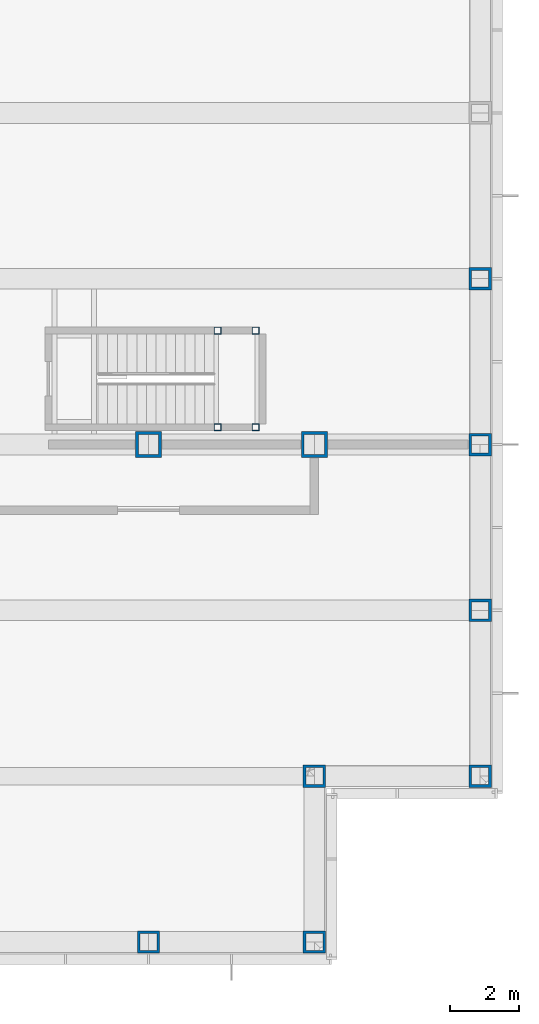
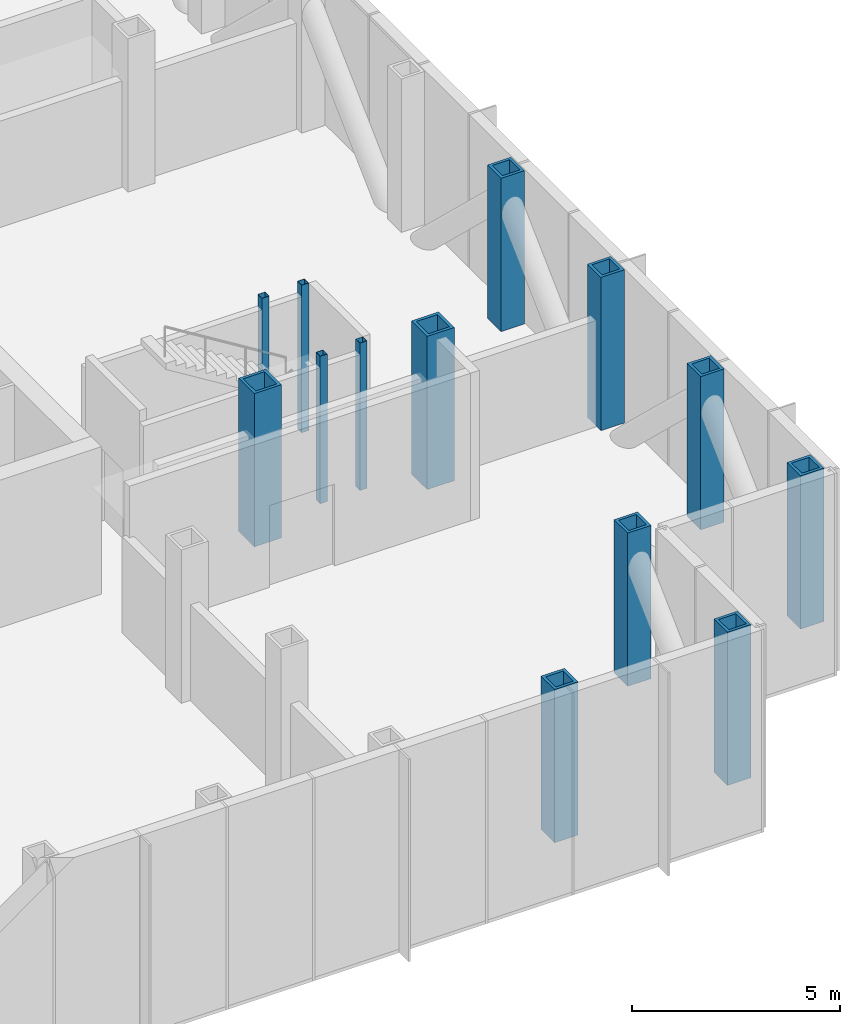
# One storey, part 4 of 18: 13 columns.
"""IFC4 building model written with IfcOpenShell, lengths in metres."""

from ifc_helpers import new_model, si_unit, direction, frame, origin, origin_2d, place, context, subcontext, project, spatial, hollow_rectangle, extrude, material, material_profile, profile_set, type_object, element, save


model = new_model("IFC4")

# Units and contexts
model_context = context("Model", 3, precision=1e-05, world=origin(), true_north=direction((0.0, 1.0)))
body_context = subcontext(model_context, "Body", "Model", "MODEL_VIEW")
ifc_project = project(units=[si_unit("LENGTHUNIT", "METRE"), si_unit("AREAUNIT", "SQUARE_METRE"), si_unit("VOLUMEUNIT", "CUBIC_METRE"), si_unit("PLANEANGLEUNIT", "RADIAN"), si_unit("MASSUNIT", "GRAM", prefix="KILO")], contexts=[model_context])

# Site, building, storey
site_placement = place(None, origin())
site = spatial("IfcSite", under=ifc_project, at=site_placement, CompositionType="ELEMENT")
building_placement = place(site_placement, origin())
building = spatial("IfcBuilding", under=site, at=building_placement, Name="Kvirike Care Tower", CompositionType="ELEMENT")
storey_placement = place(building_placement, frame((0.0, 0.0, 79.5)))
storey = spatial("IfcBuildingStorey", under=building, at=storey_placement, Name="L21", CompositionType="ELEMENT", Elevation=79.5)

# Columns
ifc_material_1 = material(Name="Steel S460", Category="steel")
ifc_material_profile_1 = material_profile(ifc_material_1, hollow_rectangle(XDim=0.64990234375, YDim=0.64990234375, WallThickness=0.080078125, at=origin_2d()), Name="BX 650x650x80")
ifc_profile_set_1 = profile_set([ifc_material_profile_1], Name="Steel S460")
column_type_1 = type_object("IfcColumnType", Name="COLUMN BX 650x650x80", PredefinedType="COLUMN", material=ifc_profile_set_1)
for number, where, z_axis, x_axis, name in (
    (1, (33.60009765625, 14.39990234375, 0.0), (0.0, 0.0, 1.0), (0.0, 1.0, 0.0), "Column D10 L21"),
    (2, (38.39990234375, 14.39990234375, 0.0), (0.0, 0.0, 1.0), (0.0, 1.0, 0.0), "Column D11 L21"),
    (3, (38.39990234375, 19.199951171875, 0.0), (0.0, 0.0, 1.0), (0.0, 1.0, 0.0), "Column E11 L21"),
    (4, (43.199951171875, 19.199951171875, 0.0), (0.0, 0.0, 1.0), (0.0, 1.0, 0.0), "Column E12 L21"),
    (5, (43.199951171875, 24.0, 0.0), (0.0, 0.0, 1.0), (1.0, 0.0, 0.0), "Column F12 L21"),
    (6, (43.199951171875, 28.800048828125, 0.0), (0.0, 0.0, 1.0), (0.0, 1.0, 0.0), "Column G12 L21"),
    (7, (43.199951171875, 33.60009765625, 0.0), (0.0, 0.0, 1.0), (1.0, 0.0, 0.0), "Column H12 L21"),
):
    element("IfcColumn", number, at=place(storey_placement, frame(where, z_axis=z_axis, x_axis=x_axis)), inside=storey, type_object=column_type_1, Name=name, PredefinedType="COLUMN", context=body_context, shape_type="SweptSolid", body=[
        extrude(hollow_rectangle(XDim=0.64990234375, YDim=0.64990234375, WallThickness=0.080078125, at=origin_2d()), origin(), (0.0, 0.0, 1.0), 4.5),
    ])
ifc_material_2 = material(Name="Steel S460", Category="steel")
ifc_material_profile_2 = material_profile(ifc_material_2, hollow_rectangle(XDim=0.75, YDim=0.75, WallThickness=0.080078125, at=origin_2d()), Name="BX 750x750x80")
ifc_profile_set_2 = profile_set([ifc_material_profile_2], Name="Steel S460")
column_type_2 = type_object("IfcColumnType", Name="COLUMN BX 750x750x80", PredefinedType="COLUMN", material=ifc_profile_set_2)
for number, where, z_axis, x_axis, name in (
    (8, (33.60009765625, 28.800048828125, 0.0), (0.0, 0.0, 1.0), (0.0, 1.0, 0.0), "Column G10 L21"),
    (9, (38.39990234375, 28.800048828125, 0.0), (0.0, 0.0, 1.0), (0.0, 1.0, 0.0), "Column G11 L21"),
):
    element("IfcColumn", number, at=place(storey_placement, frame(where, z_axis=z_axis, x_axis=x_axis)), inside=storey, type_object=column_type_2, Name=name, PredefinedType="COLUMN", context=body_context, shape_type="SweptSolid", body=[
        extrude(hollow_rectangle(XDim=0.75, YDim=0.75, WallThickness=0.080078125, at=origin_2d()), origin(), (0.0, 0.0, 1.0), 4.5),
    ])
ifc_material_3 = material(Name="Steel S460", Category="steel")
ifc_material_profile_3 = material_profile(ifc_material_3, hollow_rectangle(XDim=0.199951171875, YDim=0.199951171875, WallThickness=0.008056640625, at=origin_2d()), Name="SHS 200x200x8")
ifc_profile_set_3 = profile_set([ifc_material_profile_3], Name="Steel S460")
column_type_3 = type_object("IfcColumnType", Name="STAIR POST SHS 200x200x8", PredefinedType="COLUMN", material=ifc_profile_set_3)
for number, where, z_axis, x_axis, name in (
    (10, (36.699951171875, 29.300048828125, 0.0), (0.0, 0.0, 1.0), (1.0, 0.0, 0.0), "Stair 2 post 1 L21"),
    (11, (36.699951171875, 32.10009765625, 0.0), (0.0, 0.0, 1.0), (1.0, 0.0, 0.0), "Stair 2 post 2 L21"),
    (12, (35.60009765625, 29.300048828125, 0.0), (0.0, 0.0, 1.0), (1.0, 0.0, 0.0), "Stair 2 post 3 L21"),
    (13, (35.60009765625, 32.10009765625, 0.0), (0.0, 0.0, 1.0), (1.0, 0.0, 0.0), "Stair 2 post 4 L21"),
):
    element("IfcColumn", number, at=place(storey_placement, frame(where, z_axis=z_axis, x_axis=x_axis)), inside=storey, type_object=column_type_3, Name=name, PredefinedType="COLUMN", context=body_context, shape_type="SweptSolid", body=[
        extrude(hollow_rectangle(XDim=0.199951171875, YDim=0.199951171875, WallThickness=0.008056640625, at=origin_2d()), origin(), (0.0, 0.0, 1.0), 4.330078125),
    ])

save(model, "model.ifc")
